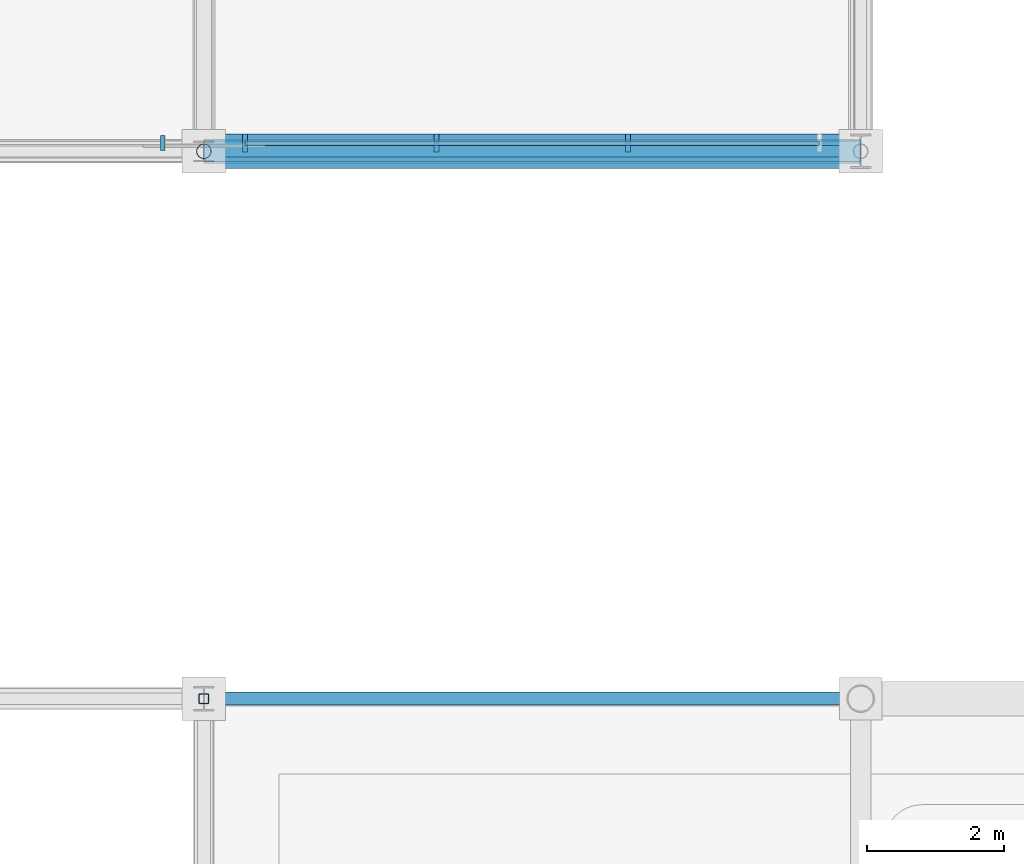
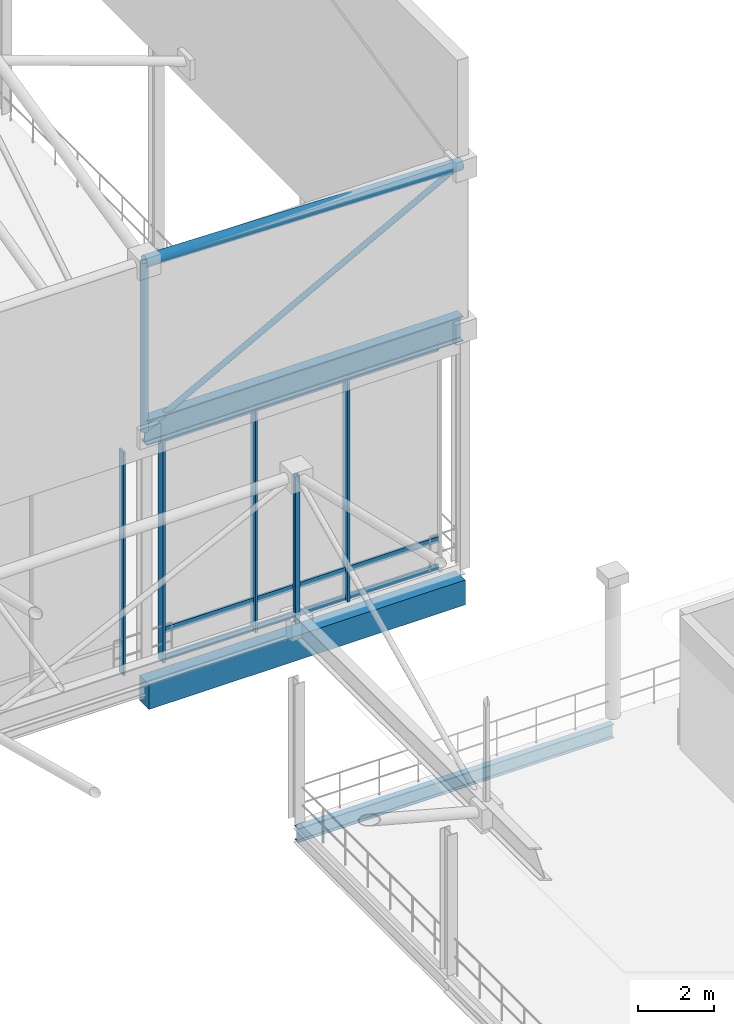
# One storey, part 115 of 193: 11 members, 3 beams, 2 elements without a shape of their own.
"""IFC4 building model written with IfcOpenShell, lengths in metres."""

import ifcopenshell
import ifcopenshell.guid

model = None  # the IFC model being written
_history = None  # IfcOwnerHistory: only IFC2X3 demands one
_inside = {}  # id of a spatial element -> (the spatial element, [elements in it])
_under = {}  # id of a project, library or spatial element -> (it, [spatial elements below it])
_declared = {}  # id of a project -> (the project, [libraries it declares])
_typed = {}  # id of a type object -> (the type object, [elements of that type])
_made_of = {}  # id of a material, layer set ... -> (it, [elements and type objects made of it])


def new_model(schema):
    """Start an empty IFC model of exactly this schema.

    Asked for "IFC4X3", IfcOpenShell would pick the latest addendum, in which some entities
    have other attributes; the version numbers below select the first issue.
    IFC2X3 requires an IfcOwnerHistory on every rooted entity: one is made here for all.
    """
    global model, _history
    if schema == "IFC4X3":
        model = ifcopenshell.file(schema_version=(4, 3, 0, 0))
    else:
        model = ifcopenshell.file(schema=schema)
    _inside.clear()
    _under.clear()
    _declared.clear()
    _typed.clear()
    _made_of.clear()
    _history = None
    if model.schema == "IFC2X3":
        org = make("IfcOrganization", Name="unknown")
        user = make(
            "IfcPersonAndOrganization",
            ThePerson=make("IfcPerson", FamilyName="unknown"),
            TheOrganization=org,
        )
        app = make(
            "IfcApplication",
            ApplicationDeveloper=org,
            Version="unknown",
            ApplicationFullName="unknown",
            ApplicationIdentifier="unknown",
        )
        _history = make(
            "IfcOwnerHistory",
            OwningUser=user,
            OwningApplication=app,
            ChangeAction="ADDED",
            CreationDate=0,
        )
    return model


def make(cls, **values):
    """One entity of the class cls with the attributes given. An attribute that is None is left unset."""
    return model.create_entity(
        cls, **{name: value for name, value in values.items() if value is not None}
    )


def rooted(cls, **values):
    """An entity with a GlobalId (a new one), such as an element, a storey or a relation."""
    return make(cls, GlobalId=ifcopenshell.guid.new(), OwnerHistory=_history, **values)


def si_unit(unit_type, name, prefix=None):
    """IfcSIUnit, for example si_unit("LENGTHUNIT", "METRE", prefix="MILLI")."""
    return make("IfcSIUnit", UnitType=unit_type, Prefix=prefix, Name=name)


def assignment(units):
    """IfcUnitAssignment: the units of a project."""
    return None if units is None else make("IfcUnitAssignment", Units=units)


def point(xyz):
    """IfcCartesianPoint."""
    return None if xyz is None else make("IfcCartesianPoint", Coordinates=xyz)


def direction(xyz):
    """IfcDirection."""
    return None if xyz is None else make("IfcDirection", DirectionRatios=xyz)


def frame(location, z_axis=None, x_axis=None):
    """IfcAxis2Placement3D, a coordinate frame: its origin and axes. An axis left out is left unset."""
    return make(
        "IfcAxis2Placement3D",
        Location=point(location),
        Axis=direction(z_axis),
        RefDirection=direction(x_axis),
    )


def frame_2d(location, x_axis=None):
    """IfcAxis2Placement2D, a coordinate frame in the plane: its origin and x axis."""
    return make(
        "IfcAxis2Placement2D", Location=point(location), RefDirection=direction(x_axis)
    )


def origin():
    """The frame at (0, 0, 0) with its axes left unset."""
    return frame((0.0, 0.0, 0.0))


def origin_2d():
    """The frame at (0, 0) in the plane with its x axis left unset."""
    return frame_2d((0.0, 0.0))


def place(relative_to, where):
    """IfcLocalPlacement: puts the frame where relative to a parent placement (None: the world)."""
    return make(
        "IfcLocalPlacement", PlacementRelTo=relative_to, RelativePlacement=where
    )


def context(
    kind, dimensions, precision=None, world=None, true_north=None, identifier=None
):
    """IfcGeometricRepresentationContext, for example the 3D "Model" context."""
    return make(
        "IfcGeometricRepresentationContext",
        ContextIdentifier=identifier,
        ContextType=kind,
        CoordinateSpaceDimension=dimensions,
        Precision=precision,
        WorldCoordinateSystem=world,
        TrueNorth=true_north,
    )


def subcontext(parent, identifier, kind, view, scale=None):
    """IfcGeometricRepresentationSubContext, for example "Body" below "Model"."""
    return make(
        "IfcGeometricRepresentationSubContext",
        ContextIdentifier=identifier,
        ContextType=kind,
        ParentContext=parent,
        TargetScale=scale,
        TargetView=view,
    )


def project(units=None, contexts=None):
    """IfcProject with its units and contexts."""
    return rooted(
        "IfcProject",
        Name="project",
        RepresentationContexts=contexts,
        UnitsInContext=assignment(units),
    )


def spatial(cls, under=None, at=None, **own):
    """A site, building, storey or space (cls), placed at a placement, below another one or the project."""
    s = rooted(cls, ObjectPlacement=at, **own)
    if under is not None:
        _under.setdefault(under.id(), (under, []))[1].append(s)
    return s


def profile(cls, at=None, kind="AREA", **sizes):
    """A parametric profile (cls). Its sizes go by their IFC names, for example OverallWidth=200.0."""
    return make(cls, ProfileType=kind, Position=at, **sizes)


def rectangle(**sizes):
    """IfcRectangleProfileDef."""
    return profile("IfcRectangleProfileDef", **sizes)


def hollow_rectangle(**sizes):
    """IfcRectangleHollowProfileDef."""
    return profile("IfcRectangleHollowProfileDef", **sizes)


def hollow_circle(**sizes):
    """IfcCircleHollowProfileDef."""
    return profile("IfcCircleHollowProfileDef", **sizes)


def i_section(**sizes):
    """IfcIShapeProfileDef."""
    return profile("IfcIShapeProfileDef", **sizes)


def extrude(swept, where, along, depth):
    """IfcExtrudedAreaSolid: the profile swept, set in the frame where, extruded along a direction by depth."""
    return make(
        "IfcExtrudedAreaSolid",
        SweptArea=swept,
        Position=where,
        ExtrudedDirection=direction(along),
        Depth=depth,
    )


def shape(context_of_items, identifier, shape_type, items):
    """IfcShapeRepresentation: the items that make up one representation, for example the "Body"."""
    return make(
        "IfcShapeRepresentation",
        ContextOfItems=context_of_items,
        RepresentationIdentifier=identifier,
        RepresentationType=shape_type,
        Items=items,
    )


def material(Name=None, Category=None):
    """IfcMaterial."""
    return make("IfcMaterial", Name=Name, Category=Category)


def material_profile(
    of_material, cross_section, Name=None, Category=None, Priority=None
):
    """IfcMaterialProfile: a cross section and its material."""
    return make(
        "IfcMaterialProfile",
        Name=Name,
        Material=of_material,
        Profile=cross_section,
        Priority=Priority,
        Category=Category,
    )


def profile_set(profiles, Name=None, composite=None):
    """IfcMaterialProfileSet."""
    return make(
        "IfcMaterialProfileSet",
        Name=Name,
        MaterialProfiles=profiles,
        CompositeProfile=composite,
    )


def made_of(thing, what):
    """Note that an element or type object is made of a material, layer set ...; save() writes the relation."""
    if what is not None:
        _made_of.setdefault(what.id(), (what, []))[1].append(thing)
    return thing


def type_object(cls, material=None, **own):
    """A type object (cls), such as IfcWallType, which elements share."""
    return made_of(rooted(cls, **own), material)


def element(
    cls,
    number,
    at=None,
    inside=None,
    cuts=None,
    type_object=None,
    material=None,
    context=None,
    identifier="Body",
    shape_type=None,
    held_by="IfcProductDefinitionShape",
    body=None,
    shapes=None,
    **own,
):
    """One element of the class cls, such as IfcWall. Its Tag is "e" and its number.

    at: its placement. inside: the storey or other place that contains it. cuts: it is an
    opening in that element (IfcRelVoidsElement). A single representation is given by context,
    identifier, shape_type and body (its items); several are given by shapes. held_by: the class
    of the entity that holds the representations. save() writes the other relations.
    """
    e = rooted(cls, Tag="e%d" % number, ObjectPlacement=at, **own)
    if body is not None:
        shapes = [shape(context, identifier, shape_type, body)]
    if shapes is not None:
        e.Representation = make(held_by, Representations=shapes)
    if inside is not None:
        _inside.setdefault(inside.id(), (inside, []))[1].append(e)
    if cuts is not None:
        rooted(
            "IfcRelVoidsElement", RelatingBuildingElement=cuts, RelatedOpeningElement=e
        )
    if type_object is not None:
        _typed.setdefault(type_object.id(), (type_object, []))[1].append(e)
    return made_of(e, material)


def aggregate(whole, parts):
    """IfcRelAggregates: a whole, such as a stair, and the parts it consists of."""
    return rooted("IfcRelAggregates", RelatingObject=whole, RelatedObjects=parts)


def save(model, path):
    """Write the relations noted so far, then the file.

    IfcRelAggregates (storeys below a building ...), IfcRelContainedInSpatialStructure (elements
    in a storey), IfcRelDefinesByType, IfcRelAssociatesMaterial and IfcRelDeclares: one each for
    every whole, place, type object, material and project.
    """
    for whole, parts in _under.values():
        aggregate(whole, parts)
    for where, things in _inside.values():
        rooted(
            "IfcRelContainedInSpatialStructure",
            RelatedElements=things,
            RelatingStructure=where,
        )
    for kind, things in _typed.values():
        rooted("IfcRelDefinesByType", RelatedObjects=things, RelatingType=kind)
    for what, things in _made_of.values():
        rooted("IfcRelAssociatesMaterial", RelatedObjects=things, RelatingMaterial=what)
    for by, libraries in _declared.values():
        rooted("IfcRelDeclares", RelatingContext=by, RelatedDefinitions=libraries)
    model.write(path)


model = new_model("IFC4")

# Units and contexts
model_context = context("Model", 3, precision=1e-05, world=origin(), true_north=direction((0.0, 1.0)))
body_context = subcontext(model_context, "Body", "Model", "MODEL_VIEW")
ifc_project = project(units=[si_unit("LENGTHUNIT", "METRE"), si_unit("AREAUNIT", "SQUARE_METRE"), si_unit("VOLUMEUNIT", "CUBIC_METRE"), si_unit("PLANEANGLEUNIT", "RADIAN"), si_unit("MASSUNIT", "GRAM", prefix="KILO")], contexts=[model_context])

# Site, building, storey
site_placement = place(None, origin())
site = spatial("IfcSite", under=ifc_project, at=site_placement, CompositionType="ELEMENT")
building_placement = place(site_placement, origin())
building = spatial("IfcBuilding", under=site, at=building_placement, Name="Danafjord Basin Convention Centre", CompositionType="ELEMENT")
storey_placement = place(building_placement, frame((0.0, 0.0, 11.39990234375)))
storey = spatial("IfcBuildingStorey", under=building, at=storey_placement, Name="L02", CompositionType="ELEMENT", Elevation=11.39990234375)

# Beams
ifc_material_1 = material(Name="Steel S355", Category="steel")
ifc_material_profile_1 = material_profile(ifc_material_1, i_section(OverallWidth=0.300048828125, OverallDepth=0.800048828125, WebThickness=0.017578125, FlangeThickness=0.032958984375, FilletRadius=0.030029296875, at=origin_2d()), Name="HEB 800")
ifc_profile_set_1 = profile_set([ifc_material_profile_1], Name="Steel S355")
beam_type_1 = type_object("IfcBeamType", Name="BEAM-BM-HEB800", PredefinedType="BEAM", material=ifc_profile_set_1)
beam_1_placement = place(storey_placement, frame((192.0, 88.0, 7.650146484375), z_axis=(1.0, 0.0, 0.0), x_axis=(0.0, 1.0, 0.0)))
element("IfcBeam", 1, at=beam_1_placement, inside=storey, type_object=beam_type_1, Name="V2 space-frame perimeter ring girder", PredefinedType="BEAM", context=body_context, shape_type="SweptSolid", body=[
    extrude(i_section(OverallWidth=0.300048828125, OverallDepth=0.800048828125, WebThickness=0.017578125, FlangeThickness=0.032958984375, FilletRadius=0.030029296875, at=origin_2d()), origin(), (0.0, 0.0, 1.0), 9.60009765625),
])
ifc_material_profile_2 = material_profile(ifc_material_1, i_section(OverallWidth=0.18994140625, OverallDepth=0.449951171875, WebThickness=0.009521484375, FlangeThickness=0.0146484375, FilletRadius=0.02099609375, at=origin_2d()), Name="IPE 450")
ifc_profile_set_2 = profile_set([ifc_material_profile_2], Name="Steel S355")
beam_type_2 = type_object("IfcBeamType", Name="BEAM-SP-IPE450", PredefinedType="SPANDREL", material=ifc_profile_set_2)
beam_2_placement = place(storey_placement, frame((192.0, 80.0, -0.454833984375), z_axis=(1.0, 0.0, 0.0), x_axis=(0.0, 1.0, 0.0)))
element("IfcBeam", 2, at=beam_2_placement, inside=storey, type_object=beam_type_2, Name="L02 girder SP-IPE450", PredefinedType="SPANDREL", context=body_context, shape_type="SweptSolid", body=[
    extrude(i_section(OverallWidth=0.18994140625, OverallDepth=0.449951171875, WebThickness=0.009521484375, FlangeThickness=0.0146484375, FilletRadius=0.02099609375, at=origin_2d()), origin(), (0.0, 0.0, 1.0), 9.60009765625),
])
ifc_material_2 = material(Name="Precast concrete C45/55", Category="concrete")
ifc_material_profile_3 = material_profile(ifc_material_2, rectangle(XDim=0.5, YDim=0.800048828125, at=origin_2d()), Name="PCB 500x800")
ifc_profile_set_3 = profile_set([ifc_material_profile_3], Name="Precast concrete C45/55")
beam_type_3 = type_object("IfcBeamType", Name="BEAM-SP-PCB800", PredefinedType="SPANDREL", material=ifc_profile_set_3)
beam_3_placement = place(storey_placement, frame((192.0, 88.0, -0.760009765625), z_axis=(1.0, 0.0, 0.0), x_axis=(0.0, 1.0, 0.0)))
element("IfcBeam", 3, at=beam_3_placement, inside=storey, type_object=beam_type_3, Name="L02 girder SP-PCB800", PredefinedType="SPANDREL", context=body_context, shape_type="SweptSolid", body=[
    extrude(rectangle(XDim=0.5, YDim=0.800048828125, at=origin_2d()), origin(), (0.0, 0.0, 1.0), 9.60009765625),
])

# Member
ifc_material_profile_4 = material_profile(ifc_material_1, hollow_circle(Radius=0.177734375, WallThickness=0.01611328125, at=origin_2d()), Name="CHS 355.6x16.0")
ifc_profile_set_4 = profile_set([ifc_material_profile_4], Name="Steel S355")
member_type_1 = type_object("IfcMemberType", Name="MEM-CH-CHS355", PredefinedType="CHORD", material=ifc_profile_set_4)
member_1_placement = place(storey_placement, frame((192.0, 88.0, 13.0751953125), z_axis=(0.999725222215, 0.0, -0.023440991172), x_axis=(0.0, 1.0, 0.0)))
element("IfcMember", 4, at=member_1_placement, inside=storey, type_object=member_type_1, Name="V2 roof truss longitudinal top chord", PredefinedType="CHORD", context=body_context, shape_type="SweptSolid", body=[
    extrude(hollow_circle(Radius=0.177734375, WallThickness=0.01611328125, at=origin_2d()), origin(), (0.0, 0.0, 1.0), 9.602783203125),
])

# Curtain wall, member
ifc_material_3 = material(Name="Anodised aluminium and triple glazing", Category="aluminium")
curtain_wall_type = type_object("IfcCurtainWallType", Name="CW-CW-DRUM", PredefinedType="NOTDEFINED", material=ifc_material_3)
curtain_wall_1_placement = place(storey_placement, origin())
curtain_wall_1 = element("IfcCurtainWall", 5, at=curtain_wall_1_placement, inside=storey, type_object=curtain_wall_type, Name="L02 CW-DRUM unitised curtain wall bay 127", PredefinedType="NOTDEFINED")
ifc_material_4 = material(Name="Anodised aluminium EN AW-6060", Category="aluminium")
ifc_material_profile_5 = material_profile(ifc_material_4, rectangle(XDim=0.06494140625, YDim=0.219970703125, at=origin_2d()), Name="MULL 65x220")
ifc_profile_set_5 = profile_set([ifc_material_profile_5], Name="Anodised aluminium EN AW-6060")
member_type_2 = type_object("IfcMemberType", Name="MEM-ML-220", PredefinedType="MULLION", material=ifc_profile_set_5)
member_2_placement = place(storey_placement, frame((191.39990234375, 88.1201171875, -0.02490234375), z_axis=(0.0, 0.0, 1.0), x_axis=(1.0, 0.0, 0.0)))
member_2 = element("IfcMember", 6, at=member_2_placement, type_object=member_type_2, Name="CW-L02-127 mullion 4", PredefinedType="MULLION", context=body_context, shape_type="SweptSolid", body=[
    extrude(rectangle(XDim=0.06494140625, YDim=0.219970703125, at=origin_2d()), origin(), (0.0, 0.0, 1.0), 7.18505859375),
])
aggregate(curtain_wall_1, [member_2])

# Curtain wall, members
curtain_wall_2_placement = place(storey_placement, origin())
curtain_wall_2 = element("IfcCurtainWall", 7, at=curtain_wall_2_placement, inside=storey, type_object=curtain_wall_type, Name="L02 CW-DRUM unitised curtain wall bay 128", PredefinedType="NOTDEFINED")
ifc_material_profile_6 = material_profile(ifc_material_4, rectangle(XDim=0.070068359375, YDim=0.260009765625, at=origin_2d()), Name="MULL 70x260")
ifc_profile_set_6 = profile_set([ifc_material_profile_6], Name="Anodised aluminium EN AW-6060")
member_type_3 = type_object("IfcMemberType", Name="MEM-ML-260", PredefinedType="MULLION", material=ifc_profile_set_6)
member_3_placement = place(storey_placement, frame((192.60009765625, 88.1201171875, -0.02490234375), z_axis=(0.0, 0.0, 1.0), x_axis=(1.0, 0.0, 0.0)))
member_3 = element("IfcMember", 8, at=member_3_placement, type_object=member_type_3, Name="CW-L02-128 mullion 1", PredefinedType="MULLION", context=body_context, shape_type="SweptSolid", body=[
    extrude(rectangle(XDim=0.070068359375, YDim=0.260009765625, at=origin_2d()), origin(), (0.0, 0.0, 1.0), 7.18505859375),
])
member_4_placement = place(storey_placement, frame((195.39990234375, 88.1201171875, -0.02490234375), z_axis=(0.0, 0.0, 1.0), x_axis=(1.0, 0.0, 0.0)))
member_4 = element("IfcMember", 9, at=member_4_placement, type_object=member_type_3, Name="CW-L02-128 mullion 2", PredefinedType="MULLION", context=body_context, shape_type="SweptSolid", body=[
    extrude(rectangle(XDim=0.070068359375, YDim=0.260009765625, at=origin_2d()), origin(), (0.0, 0.0, 1.0), 7.18505859375),
])
member_5_placement = place(storey_placement, frame((198.199951171875, 88.1201171875, -0.02490234375), z_axis=(0.0, 0.0, 1.0), x_axis=(1.0, 0.0, 0.0)))
member_5 = element("IfcMember", 10, at=member_5_placement, type_object=member_type_3, Name="CW-L02-128 mullion 3", PredefinedType="MULLION", context=body_context, shape_type="SweptSolid", body=[
    extrude(rectangle(XDim=0.070068359375, YDim=0.260009765625, at=origin_2d()), origin(), (0.0, 0.0, 1.0), 7.18505859375),
])

# Members
ifc_material_profile_7 = material_profile(ifc_material_1, hollow_circle(Radius=0.109619140625, WallThickness=0.010009765625, at=origin_2d()), Name="CHS 219.1x10.0")
ifc_profile_set_7 = profile_set([ifc_material_profile_7], Name="Steel S355")
member_type_4 = type_object("IfcMemberType", Name="MEM-ST-CHS219", PredefinedType="STRUT", material=ifc_profile_set_7)
member_6_placement = place(storey_placement, frame((192.0, 88.0, 7.650146484375), z_axis=(0.0, 0.0, 1.0), x_axis=(1.0, 0.0, 0.0)))
element("IfcMember", 11, at=member_6_placement, inside=storey, type_object=member_type_4, Name="V2 roof truss vertical strut", PredefinedType="STRUT", context=body_context, shape_type="SweptSolid", body=[
    extrude(hollow_circle(Radius=0.109619140625, WallThickness=0.010009765625, at=origin_2d()), origin(), (0.0, 0.0, 1.0), 5.425048828125),
])
ifc_material_profile_8 = material_profile(ifc_material_1, hollow_rectangle(XDim=0.14990234375, YDim=0.14990234375, WallThickness=0.008056640625, InnerFilletRadius=0.011962890625, OuterFilletRadius=0.02001953125, at=origin_2d()), Name="SHS 150x150x8.0")
ifc_profile_set_8 = profile_set([ifc_material_profile_8], Name="Steel S355")
member_type_5 = type_object("IfcMemberType", Name="MEM-ST-SHS150", PredefinedType="STRUT", material=ifc_profile_set_8)
member_7_placement = place(storey_placement, frame((192.0, 80.0, 6.35009765625), z_axis=(0.0, 0.0, 1.0), x_axis=(1.0, 0.0, 0.0)))
element("IfcMember", 12, at=member_7_placement, inside=storey, type_object=member_type_5, Name="V3 roof truss vertical strut", PredefinedType="STRUT", context=body_context, shape_type="SweptSolid", body=[
    extrude(hollow_rectangle(XDim=0.14990234375, YDim=0.14990234375, WallThickness=0.008056640625, InnerFilletRadius=0.011962890625, OuterFilletRadius=0.02001953125, at=origin_2d()), origin(), (0.0, 0.0, 1.0), 4.72509765625),
])

# Member
ifc_material_profile_9 = material_profile(ifc_material_4, rectangle(XDim=0.06494140625, YDim=0.18994140625, at=origin_2d()), Name="TRAN 65x190")
ifc_profile_set_9 = profile_set([ifc_material_profile_9], Name="Anodised aluminium EN AW-6060")
member_type_6 = type_object("IfcMemberType", Name="MEM-TR-190", PredefinedType="USERDEFINED", material=ifc_profile_set_9)
member_8_placement = place(storey_placement, frame((192.60009765625, 88.1201171875, 0.06005859375), z_axis=(1.0, 0.0, 0.0), x_axis=(0.0, 1.0, 0.0)))
member_8 = element("IfcMember", 13, at=member_8_placement, type_object=member_type_6, Name="CW-L02-128 transom 1", ObjectType="TRANSOM", PredefinedType="USERDEFINED", context=body_context, shape_type="SweptSolid", body=[
    extrude(rectangle(XDim=0.06494140625, YDim=0.18994140625, at=origin_2d()), origin(), (0.0, 0.0, 1.0), 8.39990234375),
])

member_9_placement = place(storey_placement, frame((192.60009765625, 88.1201171875, 0.9501953125), z_axis=(1.0, 0.0, 0.0), x_axis=(0.0, 1.0, 0.0)))
member_9 = element("IfcMember", 14, at=member_9_placement, type_object=member_type_6, Name="CW-L02-128 transom 2", ObjectType="TRANSOM", PredefinedType="USERDEFINED", context=body_context, shape_type="SweptSolid", body=[
    extrude(rectangle(XDim=0.06494140625, YDim=0.18994140625, at=origin_2d()), origin(), (0.0, 0.0, 1.0), 8.39990234375),
])

member_10_placement = place(storey_placement, frame((192.60009765625, 88.1201171875, 7.090087890625), z_axis=(1.0, 0.0, 0.0), x_axis=(0.0, 1.0, 0.0)))
member_10 = element("IfcMember", 15, at=member_10_placement, type_object=member_type_6, Name="CW-L02-128 transom 3", ObjectType="TRANSOM", PredefinedType="USERDEFINED", context=body_context, shape_type="SweptSolid", body=[
    extrude(rectangle(XDim=0.06494140625, YDim=0.18994140625, at=origin_2d()), origin(), (0.0, 0.0, 1.0), 8.39990234375),
])

aggregate(curtain_wall_2, [member_3, member_4, member_5, member_8, member_9, member_10])

ifc_material_profile_10 = material_profile(ifc_material_1, hollow_circle(Radius=0.084228515625, WallThickness=0.008056640625, at=origin_2d()), Name="CHS 168.3x8.0")
ifc_profile_set_10 = profile_set([ifc_material_profile_10], Name="Steel S355")
member_type_7 = type_object("IfcMemberType", Name="MEM-WB-CHS168", PredefinedType="MEMBER", material=ifc_profile_set_10)
member_11_placement = place(storey_placement, frame((192.0, 88.0, 7.650146484375), z_axis=(0.879295868501, 0.0, 0.476275944845), x_axis=(0.0, 1.0, 0.0)))
element("IfcMember", 16, at=member_11_placement, inside=storey, type_object=member_type_7, Name="V2 space-frame longitudinal web", PredefinedType="MEMBER", context=body_context, shape_type="SweptSolid", body=[
    extrude(hollow_circle(Radius=0.084228515625, WallThickness=0.008056640625, at=origin_2d()), origin(), (0.0, 0.0, 1.0), 10.91796875),
])

save(model, "model.ifc")
